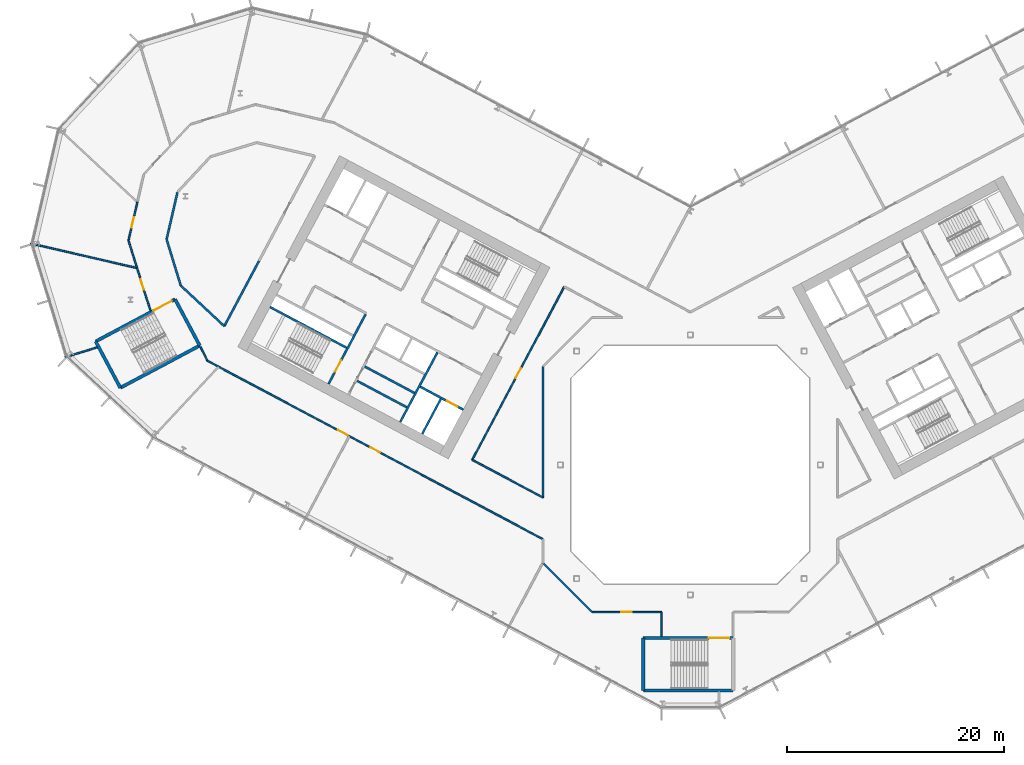
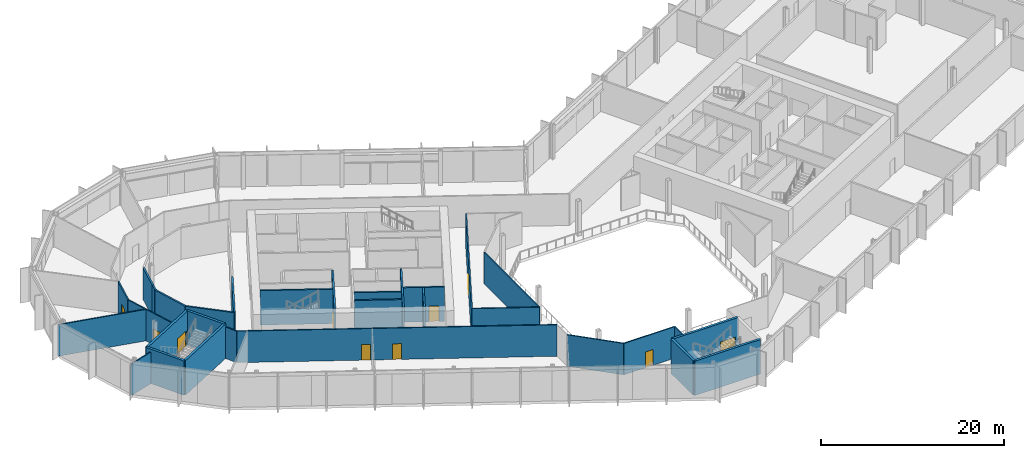
# One storey, part 14 of 30: 32 walls, 10 doors, 10 openings.
"""IFC4 building model written with IfcOpenShell, lengths in metres."""

from ifc_helpers import new_model, si_unit, direction, frame, frame_2d, origin, place, context, subcontext, project, spatial, rectangle, extrude, material, layer, layer_set, type_object, element, fill, save


model = new_model("IFC4")

# Units and contexts
model_context = context("Model", 3, precision=1e-05, world=origin(), true_north=direction((0.0, 1.0)))
body_context = subcontext(model_context, "Body", "Model", "MODEL_VIEW")
ifc_project = project(units=[si_unit("LENGTHUNIT", "METRE"), si_unit("AREAUNIT", "SQUARE_METRE"), si_unit("VOLUMEUNIT", "CUBIC_METRE"), si_unit("PLANEANGLEUNIT", "RADIAN"), si_unit("MASSUNIT", "GRAM", prefix="KILO")], contexts=[model_context])

# Site, building, storey
site_placement = place(None, origin())
site = spatial("IfcSite", under=ifc_project, at=site_placement, CompositionType="ELEMENT")
building_placement = place(site_placement, origin())
building = spatial("IfcBuilding", under=site, at=building_placement, Name="Cormorant Relay Tower", CompositionType="ELEMENT")
storey_placement = place(building_placement, frame((0.0, 0.0, 84.60009765625)))
storey = spatial("IfcBuildingStorey", under=building, at=storey_placement, Name="L16", CompositionType="ELEMENT", Elevation=84.60009765625)

# Walls
ifc_material_1 = material(Name="Concrete 40 MPa", Category="concrete")
ifc_layer_1 = layer(ifc_material_1, 0.199951171875)
ifc_layer_set_1 = layer_set([ifc_layer_1], Name="Core internal wall 200")
wall_type_1 = type_object("IfcWallType", Name="Core internal wall 200", PredefinedType="SOLIDWALL", material=ifc_layer_set_1)
for number, where, z_axis, x_axis, name in (
    (1, (-25.46728515625, 6.632568359375, 0.0), (0.0, 0.0, 1.0), (-0.882953967957, 0.469459572775, 0.0), "L16 core A shaft and room wall"),
    (2, (-26.17138671875, 5.30810546875, 0.0), (0.0, 0.0, 1.0), (-0.882953967957, 0.469459572775, 0.0), "L16 core A shaft and room wall"),
):
    element("IfcWall", number, at=place(storey_placement, frame(where, z_axis=z_axis, x_axis=x_axis)), inside=storey, type_object=wall_type_1, Name=name, PredefinedType="SOLIDWALL", context=body_context, shape_type="SweptSolid", body=[
        extrude(rectangle(XDim=5.199951171875, YDim=0.199951171875, at=frame_2d((2.60009765625, 0.0))), origin(), (0.0, 0.0, 1.0), 4.599853515625),
    ])
ifc_material_2 = material(Name="Concrete 50 MPa", Category="concrete")
ifc_layer_2 = layer(ifc_material_2, 0.199951171875)
ifc_layer_set_2 = layer_set([ifc_layer_2], Name="Core shaft wall 200")
wall_type_2 = type_object("IfcWallType", Name="Core shaft wall 200", PredefinedType="SHEAR", material=ifc_layer_set_2)
wall_1_placement = place(storey_placement, frame((-23.04296875, 6.07958984375, 0.0), z_axis=(0.0, 0.0, 1.0), x_axis=(-0.469494272526, -0.882935517501, 0.0)))
element("IfcWall", 3, at=wall_1_placement, inside=storey, type_object=wall_type_2, Name="L16 core A shaft wall", PredefinedType="SHEAR", context=body_context, shape_type="SweptSolid", body=[
    extrude(rectangle(XDim=3.64990234375, YDim=0.199951171875, at=frame_2d((1.824951171875, 0.0))), origin(), (0.0, 0.0, 1.0), 4.599853515625),
])
wall_2_placement = place(storey_placement, frame((-23.360107421875, 10.38232421875, 0.0), z_axis=(0.0, 0.0, 1.0), x_axis=(-0.469480409012, -0.88294288918, 0.0)))
element("IfcWall", 4, at=wall_2_placement, inside=storey, type_object=wall_type_2, Name="L16 core A shaft wall", PredefinedType="SHEAR", context=body_context, shape_type="SweptSolid", body=[
    extrude(rectangle(XDim=7.300048828125, YDim=0.199951171875, at=frame_2d((3.64990234375, 0.0))), origin(), (0.0, 0.0, 1.0), 4.599853515625),
])

# Wall, opening, door
wall_3_placement = place(storey_placement, frame((-29.982421875, 13.9033203125, 0.0), z_axis=(0.0, 0.0, 1.0), x_axis=(-0.469454336211, -0.882956752176, 0.0)))
wall_3 = element("IfcWall", 5, at=wall_3_placement, inside=storey, type_object=wall_type_2, Name="L16 core A shaft wall", PredefinedType="SHEAR", context=body_context, shape_type="SweptSolid", body=[
    extrude(rectangle(XDim=7.300048828125, YDim=0.199951171875, at=frame_2d((3.64990234375, 0.0))), origin(), (0.0, 0.0, 1.0), 4.599853515625),
])
opening_1_placement = place(wall_3_placement, frame((4.800048828125, 0.0, 0.0)))
opening_1 = element("IfcOpeningElement", 6, at=opening_1_placement, cuts=wall_3, Name="Opening CDB-025", PredefinedType="OPENING", context=body_context, shape_type="SweptSolid", body=[
    extrude(rectangle(XDim=1.199951171875, YDim=2.10009765625, at=frame_2d((0.60009765625, 1.050048828125))), frame((0.0, 0.10986328125, 0.0), z_axis=(0.0, -1.0, 0.0), x_axis=(1.0, 0.0, 0.0)), (0.0, 0.0, 1.0), 0.219970703125),
])
ifc_material_3 = material(Name="Steel fire door", Category="steel")
door_type_1 = type_object("IfcDoorType", Name="Core stair door 1200x2100", OperationType="SINGLE_SWING_LEFT", PredefinedType="DOOR", material=ifc_material_3)
door_1_placement = place(opening_1_placement, frame((1.199951171875, 0.0, 0.0), z_axis=(0.0, 0.0, 1.0), x_axis=(-1.0, 0.0, 0.0)))
door_1 = element("IfcDoor", 7, at=door_1_placement, inside=storey, type_object=door_type_1, Name="Core stair door 1200x2100", OperationType="SINGLE_SWING_RIGHT", OverallHeight=2.10009765625, OverallWidth=1.199951171875, PredefinedType="DOOR", context=body_context, shape_type="SweptSolid", body=[
    extrude(rectangle(XDim=1.199951171875, YDim=2.10009765625, at=frame_2d((0.60009765625, 1.050048828125))), frame((0.0, 0.02490234375, 0.0), z_axis=(0.0, -1.0, 0.0), x_axis=(1.0, 0.0, 0.0)), (0.0, 0.0, 1.0), 0.050048828125),
])
fill(opening_1, door_1)

wall_4_placement = place(storey_placement, frame((-20.96533203125, 5.088134765625, 0.0), z_axis=(0.0, 0.0, 1.0), x_axis=(-0.882925986334, 0.469512196493, 0.0)))
wall_4 = element("IfcWall", 8, at=wall_4_placement, inside=storey, type_object=wall_type_2, Name="L16 core A shaft wall", PredefinedType="SHEAR", context=body_context, shape_type="SweptSolid", body=[
    extrude(rectangle(XDim=4.5, YDim=0.199951171875, at=frame_2d((2.25, 0.0))), origin(), (0.0, 0.0, 1.0), 4.599853515625),
])
opening_2_placement = place(wall_4_placement, frame((0.60009765625, 0.0, 0.0)))
opening_2 = element("IfcOpeningElement", 9, at=opening_2_placement, cuts=wall_4, Name="Opening LD1-027", PredefinedType="OPENING", context=body_context, shape_type="SweptSolid", body=[
    extrude(rectangle(XDim=1.10009765625, YDim=2.10009765625, at=frame_2d((0.550048828125, 1.050048828125))), frame((0.0, 0.10986328125, 0.0), z_axis=(0.0, -1.0, 0.0), x_axis=(1.0, 0.0, 0.0)), (0.0, 0.0, 1.0), 0.219970703125),
])
ifc_material_4 = material(Name="Stainless steel 316", Category="steel")
door_type_2 = type_object("IfcDoorType", Name="Lift landing door 1100x2100", OperationType="DOUBLE_DOOR_SLIDING", PredefinedType="DOOR", material=ifc_material_4)
door_2_placement = place(opening_2_placement, origin())
door_2 = element("IfcDoor", 10, at=door_2_placement, inside=storey, type_object=door_type_2, Name="FF1 landing door", OperationType="DOUBLE_DOOR_SLIDING", OverallHeight=2.10009765625, OverallWidth=1.10009765625, PredefinedType="DOOR", context=body_context, shape_type="SweptSolid", body=[
    extrude(rectangle(XDim=1.10009765625, YDim=2.10009765625, at=frame_2d((0.550048828125, 1.050048828125))), frame((0.0, 0.02490234375, 0.0), z_axis=(0.0, -1.0, 0.0), x_axis=(1.0, 0.0, 0.0)), (0.0, 0.0, 1.0), 0.050048828125),
])
fill(opening_2, door_2)

# Walls
wall_5_placement = place(storey_placement, frame((-31.7373046875, 10.815673828125, 0.0), z_axis=(0.0, 0.0, 1.0), x_axis=(-0.882940221191, 0.469485426614, 0.0)))
element("IfcWall", 11, at=wall_5_placement, inside=storey, type_object=wall_type_2, Name="L16 core A shaft wall", PredefinedType="SHEAR", context=body_context, shape_type="SweptSolid", body=[
    extrude(rectangle(XDim=8.0, YDim=0.199951171875, at=frame_2d((4.0, 0.0))), origin(), (0.0, 0.0, 1.0), 4.599853515625),
])
ifc_material_5 = material(Name="Fire-rated gypsum board partition")
ifc_layer_3 = layer(ifc_material_5, 0.199951171875)
ifc_layer_set_3 = layer_set([ifc_layer_3], Name="Fire-rated gypsum partition 200")
wall_type_3 = type_object("IfcWallType", Name="Fire-rated gypsum partition 200", PredefinedType="PARTITIONING", material=ifc_layer_set_3)
wall_6_placement = place(storey_placement, frame((-48.137939453125, 21.76806640625, 0.0), z_axis=(0.0, 0.0, 1.0), x_axis=(0.224910471472, 0.974379433189, 0.0)))
element("IfcWall", 12, at=wall_6_placement, inside=storey, type_object=wall_type_3, Name="wall/L16/part/12", PredefinedType="PARTITIONING", context=body_context, shape_type="SweptSolid", body=[
    extrude(rectangle(XDim=3.49853515625, YDim=0.199951171875, at=frame_2d((1.749267578125, 0.0))), origin(), (0.0, 0.0, 1.0), 4.199951171875),
])
wall_7_placement = place(storey_placement, frame((-43.02587890625, 12.802001953125, 0.0), z_axis=(0.0, 0.0, 1.0), x_axis=(-0.731412266015, 0.68193555203, 0.0)))
element("IfcWall", 13, at=wall_7_placement, inside=storey, type_object=wall_type_3, Name="wall/L16/part/14", PredefinedType="PARTITIONING", context=body_context, shape_type="SweptSolid", body=[
    extrude(rectangle(XDim=5.501953125, YDim=0.199951171875, at=frame_2d((2.7509765625, 0.0))), origin(), (0.0, 0.0, 1.0), 4.199951171875),
])
wall_8_placement = place(storey_placement, frame((-47.050048828125, 16.553955078125, 0.0), z_axis=(0.0, 0.0, 1.0), x_axis=(-0.292399072869, 0.956296388253, 0.0)))
element("IfcWall", 14, at=wall_8_placement, inside=storey, type_object=wall_type_3, Name="wall/L16/part/15", PredefinedType="PARTITIONING", context=body_context, shape_type="SweptSolid", body=[
    extrude(rectangle(XDim=4.466064453125, YDim=0.199951171875, at=frame_2d((2.23291015625, 0.0))), origin(), (0.0, 0.0, 1.0), 4.199951171875),
])
wall_9_placement = place(storey_placement, frame((-48.35595703125, 20.824951171875, 0.0), z_axis=(0.0, 0.0, 1.0), x_axis=(0.225227894395, 0.974306109796, 0.0)))
element("IfcWall", 15, at=wall_9_placement, inside=storey, type_object=wall_type_3, Name="wall/L16/part/16", PredefinedType="PARTITIONING", context=body_context, shape_type="SweptSolid", body=[
    extrude(rectangle(XDim=0.968017578125, YDim=0.199951171875, at=frame_2d((0.48388671875, 0.0))), origin(), (0.0, 0.0, 1.0), 4.199951171875),
])
wall_10_placement = place(storey_placement, frame((-39.825927734375, 18.820068359375, 0.0), z_axis=(0.0, 0.0, 1.0), x_axis=(-0.469481685648, -0.882942210363, 0.0)))
element("IfcWall", 16, at=wall_10_placement, inside=storey, type_object=wall_type_3, Name="wall/L16/part/27", PredefinedType="PARTITIONING", context=body_context, shape_type="SweptSolid", body=[
    extrude(rectangle(XDim=6.81591796875, YDim=0.199951171875, at=frame_2d((3.407958984375, 0.0))), origin(), (0.0, 0.0, 1.0), 4.199951171875),
])
ifc_material_6 = material(Name="Gypsum board partition")
ifc_layer_4 = layer(ifc_material_6, 0.14990234375)
ifc_layer_set_4 = layer_set([ifc_layer_4], Name="Gypsum board partition 150")
wall_type_4 = type_object("IfcWallType", Name="Gypsum board partition 150", PredefinedType="PARTITIONING", material=ifc_layer_set_4)
wall_11_placement = place(storey_placement, frame((-51.080078125, 18.16796875, 0.0), z_axis=(0.0, 0.0, 1.0), x_axis=(-0.974375306075, 0.224928350615, 0.0)))
element("IfcWall", 17, at=wall_11_placement, inside=storey, type_object=wall_type_4, Name="wall/L16/part/1", PredefinedType="PARTITIONING", context=body_context, shape_type="SweptSolid", body=[
    extrude(rectangle(XDim=10.100830078125, YDim=0.14990234375, at=frame_2d((5.05029296875, 0.0))), origin(), (0.0, 0.0, 1.0), 4.199951171875),
])
wall_12_placement = place(storey_placement, frame((-54.7607421875, 10.847900390625, 0.0), z_axis=(0.0, 0.0, 1.0), x_axis=(-0.956301064033, -0.29238378021, 0.0)))
element("IfcWall", 18, at=wall_12_placement, inside=storey, type_object=wall_type_4, Name="wall/L16/part/3", PredefinedType="PARTITIONING", context=body_context, shape_type="SweptSolid", body=[
    extrude(rectangle(XDim=3.115478515625, YDim=0.14990234375, at=frame_2d((1.5576171875, 0.0))), origin(), (0.0, 0.0, 1.0), 4.199951171875),
])

# Wall, opening, door
wall_13_placement = place(storey_placement, frame((-51.041015625, 24.31103515625, 0.0), z_axis=(0.0, 0.0, 1.0), x_axis=(-0.224893203367, -0.974383418927, 0.0)))
wall_13 = element("IfcWall", 19, at=wall_13_placement, inside=storey, type_object=wall_type_4, Name="wall/L16/part/4", PredefinedType="PARTITIONING", context=body_context, shape_type="SweptSolid", body=[
    extrude(rectangle(XDim=3.7041015625, YDim=0.14990234375, at=frame_2d((1.85205078125, 0.0))), origin(), (0.0, 0.0, 1.0), 4.199951171875),
])
opening_3_placement = place(wall_13_placement, frame((1.48193359375, 0.0, 0.0)))
opening_3 = element("IfcOpeningElement", 20, at=opening_3_placement, cuts=wall_13, Name="Opening D1-037", PredefinedType="OPENING", context=body_context, shape_type="SweptSolid", body=[
    extrude(rectangle(XDim=1.0, YDim=2.10009765625, at=frame_2d((0.5, 1.050048828125))), frame((0.0, 0.0849609375, 0.0), z_axis=(0.0, -1.0, 0.0), x_axis=(1.0, 0.0, 0.0)), (0.0, 0.0, 1.0), 0.169921875),
])
ifc_material_7 = material(Name="Painted steel door", Category="steel")
door_type_3 = type_object("IfcDoorType", Name="Single door 1000 x 2100", OperationType="SINGLE_SWING_LEFT", PredefinedType="DOOR", material=ifc_material_7)
door_3_placement = place(opening_3_placement, frame((1.0, 0.0, 0.0), z_axis=(0.0, 0.0, 1.0), x_axis=(-1.0, 0.0, 0.0)))
door_3 = element("IfcDoor", 21, at=door_3_placement, inside=storey, type_object=door_type_3, Name="door/L16/16", OperationType="SINGLE_SWING_RIGHT", OverallHeight=2.10009765625, OverallWidth=1.0, PredefinedType="DOOR", context=body_context, shape_type="SweptSolid", body=[
    extrude(rectangle(XDim=1.0, YDim=2.10009765625, at=frame_2d((0.5, 1.050048828125))), frame((0.0, 0.02490234375, 0.0), z_axis=(0.0, -1.0, 0.0), x_axis=(1.0, 0.0, 0.0)), (0.0, 0.0, 1.0), 0.050048828125),
])
fill(opening_3, door_3)

# Wall
wall_14_placement = place(storey_placement, frame((-51.8740234375, 20.701904296875, 0.0), z_axis=(0.0, 0.0, 1.0), x_axis=(0.299019355328, -0.954247046178, 0.0)))
element("IfcWall", 22, at=wall_14_placement, inside=storey, type_object=wall_type_4, Name="wall/L16/part/5", PredefinedType="PARTITIONING", context=body_context, shape_type="SweptSolid", body=[
    extrude(rectangle(XDim=2.595458984375, YDim=0.14990234375, at=frame_2d((1.2978515625, 0.0))), origin(), (0.0, 0.0, 1.0), 4.199951171875),
])

# Wall, opening, door
wall_15_placement = place(storey_placement, frame((-49.847412109375, 14.233642578125, 0.0), z_axis=(0.0, 0.0, 1.0), x_axis=(-0.29896287329, 0.954264743346, 0.0)))
wall_15 = element("IfcWall", 23, at=wall_15_placement, inside=storey, type_object=wall_type_4, Name="wall/L16/part/6", PredefinedType="PARTITIONING", context=body_context, shape_type="SweptSolid", body=[
    extrude(rectangle(XDim=4.182861328125, YDim=0.14990234375, at=frame_2d((2.09130859375, 0.0))), origin(), (0.0, 0.0, 1.0), 4.199951171875),
])
opening_4_placement = place(wall_15_placement, frame((2.014892578125, 0.0, 0.0)))
opening_4 = element("IfcOpeningElement", 24, at=opening_4_placement, cuts=wall_15, Name="Opening D1-038", PredefinedType="OPENING", context=body_context, shape_type="SweptSolid", body=[
    extrude(rectangle(XDim=1.0, YDim=2.10009765625, at=frame_2d((0.5, 1.050048828125))), frame((0.0, 0.0849609375, 0.0), z_axis=(0.0, -1.0, 0.0), x_axis=(1.0, 0.0, 0.0)), (0.0, 0.0, 1.0), 0.169921875),
])
door_4_placement = place(opening_4_placement, origin())
door_4 = element("IfcDoor", 25, at=door_4_placement, inside=storey, type_object=door_type_3, Name="door/L16/17", OperationType="SINGLE_SWING_RIGHT", OverallHeight=2.10009765625, OverallWidth=1.0, PredefinedType="DOOR", context=body_context, shape_type="SweptSolid", body=[
    extrude(rectangle(XDim=1.0, YDim=2.10009765625, at=frame_2d((0.5, 1.050048828125))), frame((0.0, 0.02490234375, 0.0), z_axis=(0.0, -1.0, 0.0), x_axis=(1.0, 0.0, 0.0)), (0.0, 0.0, 1.0), 0.050048828125),
])
fill(opening_4, door_4)

# Wall
wall_16_placement = place(storey_placement, frame((-2.64892578125, -15.840087890625, 0.0), z_axis=(0.0, 0.0, 1.0), x_axis=(0.0, 1.0, 0.0)))
element("IfcWall", 26, at=wall_16_placement, inside=storey, type_object=wall_type_4, Name="wall/L16/part/21", PredefinedType="PARTITIONING", context=body_context, shape_type="SweptSolid", body=[
    extrude(rectangle(XDim=2.239990234375, YDim=0.14990234375, at=frame_2d((1.1201171875, 0.0))), origin(), (0.0, 0.0, 1.0), 4.199951171875),
])

# Wall, opening, door
wall_17_placement = place(storey_placement, frame((-2.64892578125, -13.60009765625, 0.0), z_axis=(0.0, 0.0, 1.0), x_axis=(-1.0, 0.0, 0.0)))
wall_17 = element("IfcWall", 27, at=wall_17_placement, inside=storey, type_object=wall_type_4, Name="wall/L16/part/22", PredefinedType="PARTITIONING", context=body_context, shape_type="SweptSolid", body=[
    extrude(rectangle(XDim=6.427978515625, YDim=0.14990234375, at=frame_2d((3.2138671875, 0.0))), origin(), (0.0, 0.0, 1.0), 4.199951171875),
])
opening_5_placement = place(wall_17_placement, frame((2.75, 0.0, 0.0)))
opening_5 = element("IfcOpeningElement", 28, at=opening_5_placement, cuts=wall_17, Name="Opening D1-042", PredefinedType="OPENING", context=body_context, shape_type="SweptSolid", body=[
    extrude(rectangle(XDim=1.0, YDim=2.10009765625, at=frame_2d((0.5, 1.050048828125))), frame((0.0, 0.0849609375, 0.0), z_axis=(0.0, -1.0, 0.0), x_axis=(1.0, 0.0, 0.0)), (0.0, 0.0, 1.0), 0.169921875),
])
door_5_placement = place(opening_5_placement, origin())
door_5 = element("IfcDoor", 29, at=door_5_placement, inside=storey, type_object=door_type_3, Name="door/L16/20", OperationType="SINGLE_SWING_LEFT", OverallHeight=2.10009765625, OverallWidth=1.0, PredefinedType="DOOR", context=body_context, shape_type="SweptSolid", body=[
    extrude(rectangle(XDim=1.0, YDim=2.10009765625, at=frame_2d((0.5, 1.050048828125))), frame((0.0, 0.02490234375, 0.0), z_axis=(0.0, -1.0, 0.0), x_axis=(1.0, 0.0, 0.0)), (0.0, 0.0, 1.0), 0.050048828125),
])
fill(opening_5, door_5)

# Wall
wall_18_placement = place(storey_placement, frame((-9.076904296875, -13.60009765625, 0.0), z_axis=(0.0, 0.0, 1.0), x_axis=(-0.707106781187, 0.707106781187, 0.0)))
element("IfcWall", 30, at=wall_18_placement, inside=storey, type_object=wall_type_4, Name="wall/L16/part/23", PredefinedType="PARTITIONING", context=body_context, shape_type="SweptSolid", body=[
    extrude(rectangle(XDim=6.396728515625, YDim=0.14990234375, at=frame_2d((3.1982421875, 0.0))), origin(), (0.0, 0.0, 1.0), 4.199951171875),
])

# Wall, openings, doors
wall_19_placement = place(storey_placement, frame((-13.60009765625, -6.868896484375, 0.0), z_axis=(0.0, 0.0, 1.0), x_axis=(-0.88295406426, 0.469459391648, 0.0)))
wall_19 = element("IfcWall", 31, at=wall_19_placement, inside=storey, type_object=wall_type_4, Name="wall/L16/part/25", PredefinedType="PARTITIONING", context=body_context, shape_type="SweptSolid", body=[
    extrude(rectangle(XDim=35.091064453125, YDim=0.14990234375, at=frame_2d((17.54541015625, 0.0))), origin(), (0.0, 0.0, 1.0), 4.199951171875),
])
opening_6_placement = place(wall_19_placement, frame((20.449951171875, 0.0, 0.0)))
opening_6 = element("IfcOpeningElement", 32, at=opening_6_placement, cuts=wall_19, Name="Opening D1-039", PredefinedType="OPENING", context=body_context, shape_type="SweptSolid", body=[
    extrude(rectangle(XDim=1.0, YDim=2.10009765625, at=frame_2d((0.5, 1.050048828125))), frame((0.0, 0.0849609375, 0.0), z_axis=(0.0, -1.0, 0.0), x_axis=(1.0, 0.0, 0.0)), (0.0, 0.0, 1.0), 0.169921875),
])
opening_7_placement = place(wall_19_placement, frame((17.050048828125, 0.0, 0.0)))
opening_7 = element("IfcOpeningElement", 33, at=opening_7_placement, cuts=wall_19, Name="Opening D1-040", PredefinedType="OPENING", context=body_context, shape_type="SweptSolid", body=[
    extrude(rectangle(XDim=1.0, YDim=2.10009765625, at=frame_2d((0.5, 1.050048828125))), frame((0.0, 0.0849609375, 0.0), z_axis=(0.0, -1.0, 0.0), x_axis=(1.0, 0.0, 0.0)), (0.0, 0.0, 1.0), 0.169921875),
])
door_6_placement = place(opening_6_placement, origin())
door_6 = element("IfcDoor", 34, at=door_6_placement, inside=storey, type_object=door_type_3, Name="door/L16/18", OperationType="SINGLE_SWING_LEFT", OverallHeight=2.10009765625, OverallWidth=1.0, PredefinedType="DOOR", context=body_context, shape_type="SweptSolid", body=[
    extrude(rectangle(XDim=1.0, YDim=2.10009765625, at=frame_2d((0.5, 1.050048828125))), frame((0.0, 0.02490234375, 0.0), z_axis=(0.0, -1.0, 0.0), x_axis=(1.0, 0.0, 0.0)), (0.0, 0.0, 1.0), 0.050048828125),
])
fill(opening_6, door_6)
door_7_placement = place(opening_7_placement, origin())
door_7 = element("IfcDoor", 35, at=door_7_placement, inside=storey, type_object=door_type_3, Name="door/L16/19", OperationType="SINGLE_SWING_LEFT", OverallHeight=2.10009765625, OverallWidth=1.0, PredefinedType="DOOR", context=body_context, shape_type="SweptSolid", body=[
    extrude(rectangle(XDim=1.0, YDim=2.10009765625, at=frame_2d((0.5, 1.050048828125))), frame((0.0, 0.02490234375, 0.0), z_axis=(0.0, -1.0, 0.0), x_axis=(1.0, 0.0, 0.0)), (0.0, 0.0, 1.0), 0.050048828125),
])
fill(opening_7, door_7)

# Wall
wall_20_placement = place(storey_placement, frame((-44.583984375, 9.60498046875, 0.0), z_axis=(0.0, 0.0, 1.0), x_axis=(-0.445453249083, 0.895305200968, 0.0)))
element("IfcWall", 36, at=wall_20_placement, inside=storey, type_object=wall_type_4, Name="wall/L16/part/26", PredefinedType="PARTITIONING", context=body_context, shape_type="SweptSolid", body=[
    extrude(rectangle(XDim=1.443115234375, YDim=0.14990234375, at=frame_2d((0.7216796875, 0.0))), origin(), (0.0, 0.0, 1.0), 4.199951171875),
])

# Wall, opening, door
wall_21_placement = place(storey_placement, frame((-20.14208984375, 0.4599609375, 0.0), z_axis=(0.0, 0.0, 1.0), x_axis=(0.469506937019, 0.882928783136, 0.0)))
wall_21 = element("IfcWall", 37, at=wall_21_placement, inside=storey, type_object=wall_type_4, Name="wall/L16/part/40", PredefinedType="PARTITIONING", context=body_context, shape_type="SweptSolid", body=[
    extrude(rectangle(XDim=18.099853515625, YDim=0.14990234375, at=frame_2d((9.0498046875, 0.0))), origin(), (0.0, 0.0, 1.0), 4.199951171875),
])
opening_8_placement = place(wall_21_placement, frame((8.550048828125, 0.0, 0.0)))
opening_8 = element("IfcOpeningElement", 38, at=opening_8_placement, cuts=wall_21, Name="Opening D1-041", PredefinedType="OPENING", context=body_context, shape_type="SweptSolid", body=[
    extrude(rectangle(XDim=1.0, YDim=2.10009765625, at=frame_2d((0.5, 1.050048828125))), frame((0.0, 0.0849609375, 0.0), z_axis=(0.0, -1.0, 0.0), x_axis=(1.0, 0.0, 0.0)), (0.0, 0.0, 1.0), 0.169921875),
])
door_8_placement = place(opening_8_placement, frame((1.0, 0.0, 0.0), z_axis=(0.0, 0.0, 1.0), x_axis=(-1.0, 0.0, 0.0)))
door_8 = element("IfcDoor", 39, at=door_8_placement, inside=storey, type_object=door_type_3, Name="door/L16/2", OperationType="SINGLE_SWING_LEFT", OverallHeight=2.10009765625, OverallWidth=1.0, PredefinedType="DOOR", context=body_context, shape_type="SweptSolid", body=[
    extrude(rectangle(XDim=1.0, YDim=2.10009765625, at=frame_2d((0.5, 1.050048828125))), frame((0.0, 0.02490234375, 0.0), z_axis=(0.0, -1.0, 0.0), x_axis=(1.0, 0.0, 0.0)), (0.0, 0.0, 1.0), 0.050048828125),
])
fill(opening_8, door_8)

# Walls
wall_22_placement = place(storey_placement, frame((-13.60009765625, -3.01904296875, 0.0), z_axis=(0.0, 0.0, 1.0), x_axis=(-0.882915984826, 0.469531004022, 0.0)))
element("IfcWall", 40, at=wall_22_placement, inside=storey, type_object=wall_type_4, Name="wall/L16/part/42", PredefinedType="PARTITIONING", context=body_context, shape_type="SweptSolid", body=[
    extrude(rectangle(XDim=7.409423828125, YDim=0.14990234375, at=frame_2d((3.70458984375, 0.0))), origin(), (0.0, 0.0, 1.0), 4.199951171875),
])
wall_23_placement = place(storey_placement, frame((-13.60009765625, 9.076904296875, 0.0), z_axis=(0.0, 0.0, 1.0), x_axis=(0.0, -1.0, 0.0)))
element("IfcWall", 41, at=wall_23_placement, inside=storey, type_object=wall_type_4, Name="wall/L16/part/43", PredefinedType="PARTITIONING", context=body_context, shape_type="SweptSolid", body=[
    extrude(rectangle(XDim=12.095947265625, YDim=0.14990234375, at=frame_2d((6.0478515625, 0.0))), origin(), (0.0, 0.0, 1.0), 4.199951171875),
])
ifc_material_8 = material(Name="Concrete 50 MPa", Category="concrete")
ifc_layer_5 = layer(ifc_material_8, 0.300048828125)
ifc_layer_set_5 = layer_set([ifc_layer_5], Name="Remote stair wall 300")
wall_type_5 = type_object("IfcWallType", Name="Remote stair wall 300", PredefinedType="SHEAR", material=ifc_layer_set_5)
wall_24_placement = place(storey_placement, frame((3.949951171875, -20.824951171875, 0.0), z_axis=(0.0, 0.0, 1.0), x_axis=(-1.0, 0.0, 0.0)))
element("IfcWall", 42, at=wall_24_placement, inside=storey, type_object=wall_type_5, Name="L16 exit stair RK1 wall", PredefinedType="SHEAR", context=body_context, shape_type="SweptSolid", body=[
    extrude(rectangle(XDim=8.300048828125, YDim=0.300048828125, at=frame_2d((4.14990234375, 0.0))), origin(), (0.0, 0.0, 1.0), 4.599853515625),
])
wall_25_placement = place(storey_placement, frame((-4.35009765625, -20.824951171875, 0.0), z_axis=(0.0, 0.0, 1.0), x_axis=(0.0, 1.0, 0.0)))
element("IfcWall", 43, at=wall_25_placement, inside=storey, type_object=wall_type_5, Name="L16 exit stair RK1 wall", PredefinedType="SHEAR", context=body_context, shape_type="SweptSolid", body=[
    extrude(rectangle(XDim=4.849853515625, YDim=0.300048828125, at=frame_2d((2.4248046875, 0.0))), origin(), (0.0, 0.0, 1.0), 4.599853515625),
])

# Wall, opening, door
wall_26_placement = place(storey_placement, frame((-4.35009765625, -15.97509765625, 0.0), z_axis=(0.0, 0.0, 1.0), x_axis=(1.0, 0.0, 0.0)))
wall_26 = element("IfcWall", 44, at=wall_26_placement, inside=storey, type_object=wall_type_5, Name="L16 exit stair RK1 wall", PredefinedType="SHEAR", context=body_context, shape_type="SweptSolid", body=[
    extrude(rectangle(XDim=8.300048828125, YDim=0.300048828125, at=frame_2d((4.14990234375, 0.0))), origin(), (0.0, 0.0, 1.0), 4.599853515625),
])
opening_9_placement = place(wall_26_placement, frame((6.050048828125, 0.0, 0.0)))
opening_9 = element("IfcOpeningElement", 45, at=opening_9_placement, cuts=wall_26, Name="Opening CDE-008", PredefinedType="OPENING", context=body_context, shape_type="SweptSolid", body=[
    extrude(rectangle(XDim=1.89990234375, YDim=2.10009765625, at=frame_2d((0.949951171875, 1.050048828125))), frame((0.0, 0.159912109375, 0.0), z_axis=(0.0, -1.0, 0.0), x_axis=(1.0, 0.0, 0.0)), (0.0, 0.0, 1.0), 0.320068359375),
])
ifc_material_9 = material(Name="Steel fire door", Category="steel")
door_type_4 = type_object("IfcDoorType", Name="Remote stair door 1900x2100", OperationType="DOUBLE_DOOR_SINGLE_SWING", PredefinedType="DOOR", material=ifc_material_9)
door_9_placement = place(opening_9_placement, frame((1.89990234375, 0.0, 0.0), z_axis=(0.0, 0.0, 1.0), x_axis=(-1.0, 0.0, 0.0)))
door_9 = element("IfcDoor", 46, at=door_9_placement, inside=storey, type_object=door_type_4, Name="Exit stair RK1 door", OperationType="DOUBLE_DOOR_SINGLE_SWING", OverallHeight=2.10009765625, OverallWidth=1.89990234375, PredefinedType="DOOR", context=body_context, shape_type="SweptSolid", body=[
    extrude(rectangle(XDim=1.89990234375, YDim=2.10009765625, at=frame_2d((0.949951171875, 1.050048828125))), frame((0.0, 0.02490234375, 0.0), z_axis=(0.0, -1.0, 0.0), x_axis=(1.0, 0.0, 0.0)), (0.0, 0.0, 1.0), 0.050048828125),
])
fill(opening_9, door_9)

# Walls
wall_27_placement = place(storey_placement, frame((-47.57421875, 15.28955078125, 0.0), z_axis=(0.0, 0.0, 1.0), x_axis=(0.469443498566, -0.882962514297, 0.0)))
element("IfcWall", 47, at=wall_27_placement, inside=storey, type_object=wall_type_5, Name="L16 exit stair RP1 wall", PredefinedType="SHEAR", context=body_context, shape_type="SweptSolid", body=[
    extrude(rectangle(XDim=4.85009765625, YDim=0.300048828125, at=frame_2d((2.425048828125, 0.0))), origin(), (0.0, 0.0, 1.0), 4.599853515625),
])
wall_28_placement = place(storey_placement, frame((-45.29736328125, 11.007080078125, 0.0), z_axis=(0.0, 0.0, 1.0), x_axis=(-0.882951519127, -0.469464178475, 0.0)))
element("IfcWall", 48, at=wall_28_placement, inside=storey, type_object=wall_type_5, Name="L16 exit stair RP1 wall", PredefinedType="SHEAR", context=body_context, shape_type="SweptSolid", body=[
    extrude(rectangle(XDim=8.2998046875, YDim=0.300048828125, at=frame_2d((4.14990234375, 0.0))), origin(), (0.0, 0.0, 1.0), 4.599853515625),
])
wall_29_placement = place(storey_placement, frame((-52.625732421875, 7.110595703125, 0.0), z_axis=(0.0, 0.0, 1.0), x_axis=(-0.469464364128, 0.882951420416, 0.0)))
element("IfcWall", 49, at=wall_29_placement, inside=storey, type_object=wall_type_5, Name="L16 exit stair RP1 wall", PredefinedType="SHEAR", context=body_context, shape_type="SweptSolid", body=[
    extrude(rectangle(XDim=4.849853515625, YDim=0.300048828125, at=frame_2d((2.4248046875, 0.0))), origin(), (0.0, 0.0, 1.0), 4.599853515625),
])

# Wall, opening, door
wall_30_placement = place(storey_placement, frame((-54.902587890625, 11.392822265625, 0.0), z_axis=(0.0, 0.0, 1.0), x_axis=(0.882939326045, 0.469487110071, 0.0)))
wall_30 = element("IfcWall", 50, at=wall_30_placement, inside=storey, type_object=wall_type_5, Name="L16 exit stair RP1 wall", PredefinedType="SHEAR", context=body_context, shape_type="SweptSolid", body=[
    extrude(rectangle(XDim=8.300048828125, YDim=0.300048828125, at=frame_2d((4.14990234375, 0.0))), origin(), (0.0, 0.0, 1.0), 4.599853515625),
])
opening_10_placement = place(wall_30_placement, frame((6.050048828125, 0.0, 0.0)))
opening_10 = element("IfcOpeningElement", 51, at=opening_10_placement, cuts=wall_30, Name="Opening CDE-009", PredefinedType="OPENING", context=body_context, shape_type="SweptSolid", body=[
    extrude(rectangle(XDim=1.89990234375, YDim=2.10009765625, at=frame_2d((0.949951171875, 1.050048828125))), frame((0.0, 0.159912109375, 0.0), z_axis=(0.0, -1.0, 0.0), x_axis=(1.0, 0.0, 0.0)), (0.0, 0.0, 1.0), 0.320068359375),
])
door_10_placement = place(opening_10_placement, frame((1.89990234375, 0.0, 0.0), z_axis=(0.0, 0.0, 1.0), x_axis=(-1.0, 0.0, 0.0)))
door_10 = element("IfcDoor", 52, at=door_10_placement, inside=storey, type_object=door_type_4, Name="Exit stair RP1 door", OperationType="DOUBLE_DOOR_SINGLE_SWING", OverallHeight=2.10009765625, OverallWidth=1.89990234375, PredefinedType="DOOR", context=body_context, shape_type="SweptSolid", body=[
    extrude(rectangle(XDim=1.89990234375, YDim=2.10009765625, at=frame_2d((0.949951171875, 1.050048828125))), frame((0.0, 0.02490234375, 0.0), z_axis=(0.0, -1.0, 0.0), x_axis=(1.0, 0.0, 0.0)), (0.0, 0.0, 1.0), 0.050048828125),
])
fill(opening_10, door_10)

save(model, "model.ifc")
